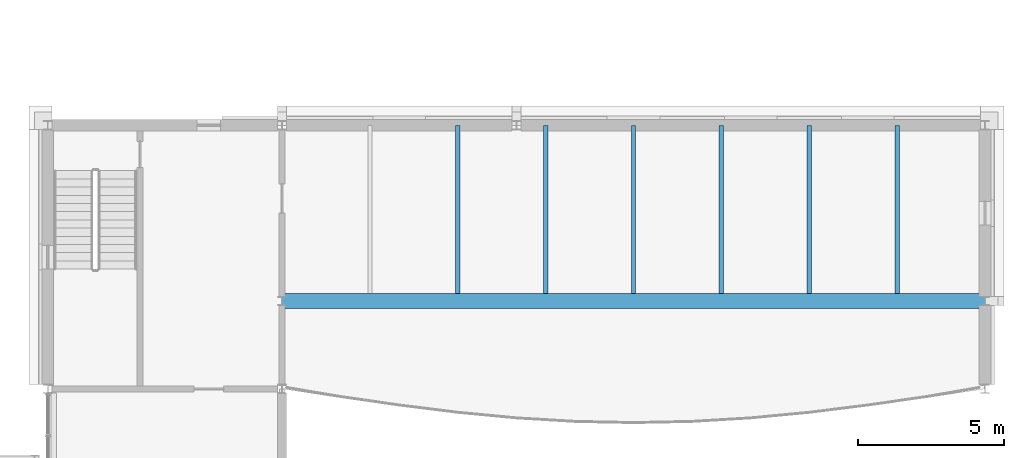
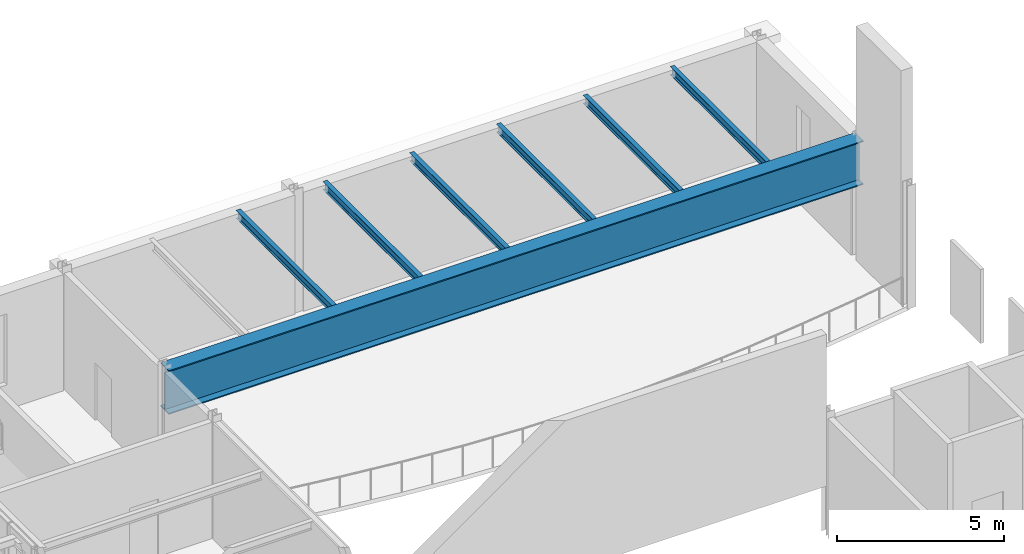
# One storey, part 74 of 153: 7 beams.
"""IFC4 building model written with IfcOpenShell, lengths in metres."""

import ifcopenshell
import ifcopenshell.guid

model = None  # the IFC model being written
_history = None  # IfcOwnerHistory: only IFC2X3 demands one
_inside = {}  # id of a spatial element -> (the spatial element, [elements in it])
_under = {}  # id of a project, library or spatial element -> (it, [spatial elements below it])
_declared = {}  # id of a project -> (the project, [libraries it declares])
_typed = {}  # id of a type object -> (the type object, [elements of that type])
_made_of = {}  # id of a material, layer set ... -> (it, [elements and type objects made of it])


def new_model(schema):
    """Start an empty IFC model of exactly this schema.

    Asked for "IFC4X3", IfcOpenShell would pick the latest addendum, in which some entities
    have other attributes; the version numbers below select the first issue.
    IFC2X3 requires an IfcOwnerHistory on every rooted entity: one is made here for all.
    """
    global model, _history
    if schema == "IFC4X3":
        model = ifcopenshell.file(schema_version=(4, 3, 0, 0))
    else:
        model = ifcopenshell.file(schema=schema)
    _inside.clear()
    _under.clear()
    _declared.clear()
    _typed.clear()
    _made_of.clear()
    _history = None
    if model.schema == "IFC2X3":
        org = make("IfcOrganization", Name="unknown")
        user = make(
            "IfcPersonAndOrganization",
            ThePerson=make("IfcPerson", FamilyName="unknown"),
            TheOrganization=org,
        )
        app = make(
            "IfcApplication",
            ApplicationDeveloper=org,
            Version="unknown",
            ApplicationFullName="unknown",
            ApplicationIdentifier="unknown",
        )
        _history = make(
            "IfcOwnerHistory",
            OwningUser=user,
            OwningApplication=app,
            ChangeAction="ADDED",
            CreationDate=0,
        )
    return model


def make(cls, **values):
    """One entity of the class cls with the attributes given. An attribute that is None is left unset."""
    return model.create_entity(
        cls, **{name: value for name, value in values.items() if value is not None}
    )


def rooted(cls, **values):
    """An entity with a GlobalId (a new one), such as an element, a storey or a relation."""
    return make(cls, GlobalId=ifcopenshell.guid.new(), OwnerHistory=_history, **values)


def si_unit(unit_type, name, prefix=None):
    """IfcSIUnit, for example si_unit("LENGTHUNIT", "METRE", prefix="MILLI")."""
    return make("IfcSIUnit", UnitType=unit_type, Prefix=prefix, Name=name)


def assignment(units):
    """IfcUnitAssignment: the units of a project."""
    return None if units is None else make("IfcUnitAssignment", Units=units)


def point(xyz):
    """IfcCartesianPoint."""
    return None if xyz is None else make("IfcCartesianPoint", Coordinates=xyz)


def direction(xyz):
    """IfcDirection."""
    return None if xyz is None else make("IfcDirection", DirectionRatios=xyz)


def frame(location, z_axis=None, x_axis=None):
    """IfcAxis2Placement3D, a coordinate frame: its origin and axes. An axis left out is left unset."""
    return make(
        "IfcAxis2Placement3D",
        Location=point(location),
        Axis=direction(z_axis),
        RefDirection=direction(x_axis),
    )


def frame_2d(location, x_axis=None):
    """IfcAxis2Placement2D, a coordinate frame in the plane: its origin and x axis."""
    return make(
        "IfcAxis2Placement2D", Location=point(location), RefDirection=direction(x_axis)
    )


def origin():
    """The frame at (0, 0, 0) with its axes left unset."""
    return frame((0.0, 0.0, 0.0))


def origin_2d():
    """The frame at (0, 0) in the plane with its x axis left unset."""
    return frame_2d((0.0, 0.0))


def place(relative_to, where):
    """IfcLocalPlacement: puts the frame where relative to a parent placement (None: the world)."""
    return make(
        "IfcLocalPlacement", PlacementRelTo=relative_to, RelativePlacement=where
    )


def context(
    kind, dimensions, precision=None, world=None, true_north=None, identifier=None
):
    """IfcGeometricRepresentationContext, for example the 3D "Model" context."""
    return make(
        "IfcGeometricRepresentationContext",
        ContextIdentifier=identifier,
        ContextType=kind,
        CoordinateSpaceDimension=dimensions,
        Precision=precision,
        WorldCoordinateSystem=world,
        TrueNorth=true_north,
    )


def subcontext(parent, identifier, kind, view, scale=None):
    """IfcGeometricRepresentationSubContext, for example "Body" below "Model"."""
    return make(
        "IfcGeometricRepresentationSubContext",
        ContextIdentifier=identifier,
        ContextType=kind,
        ParentContext=parent,
        TargetScale=scale,
        TargetView=view,
    )


def project(units=None, contexts=None):
    """IfcProject with its units and contexts."""
    return rooted(
        "IfcProject",
        Name="project",
        RepresentationContexts=contexts,
        UnitsInContext=assignment(units),
    )


def spatial(cls, under=None, at=None, **own):
    """A site, building, storey or space (cls), placed at a placement, below another one or the project."""
    s = rooted(cls, ObjectPlacement=at, **own)
    if under is not None:
        _under.setdefault(under.id(), (under, []))[1].append(s)
    return s


def profile(cls, at=None, kind="AREA", **sizes):
    """A parametric profile (cls). Its sizes go by their IFC names, for example OverallWidth=200.0."""
    return make(cls, ProfileType=kind, Position=at, **sizes)


def i_section(**sizes):
    """IfcIShapeProfileDef."""
    return profile("IfcIShapeProfileDef", **sizes)


def extrude(swept, where, along, depth):
    """IfcExtrudedAreaSolid: the profile swept, set in the frame where, extruded along a direction by depth."""
    return make(
        "IfcExtrudedAreaSolid",
        SweptArea=swept,
        Position=where,
        ExtrudedDirection=direction(along),
        Depth=depth,
    )


def shape(context_of_items, identifier, shape_type, items):
    """IfcShapeRepresentation: the items that make up one representation, for example the "Body"."""
    return make(
        "IfcShapeRepresentation",
        ContextOfItems=context_of_items,
        RepresentationIdentifier=identifier,
        RepresentationType=shape_type,
        Items=items,
    )


def material(Name=None, Category=None):
    """IfcMaterial."""
    return make("IfcMaterial", Name=Name, Category=Category)


def material_profile(
    of_material, cross_section, Name=None, Category=None, Priority=None
):
    """IfcMaterialProfile: a cross section and its material."""
    return make(
        "IfcMaterialProfile",
        Name=Name,
        Material=of_material,
        Profile=cross_section,
        Priority=Priority,
        Category=Category,
    )


def profile_set(profiles, Name=None, composite=None):
    """IfcMaterialProfileSet."""
    return make(
        "IfcMaterialProfileSet",
        Name=Name,
        MaterialProfiles=profiles,
        CompositeProfile=composite,
    )


def made_of(thing, what):
    """Note that an element or type object is made of a material, layer set ...; save() writes the relation."""
    if what is not None:
        _made_of.setdefault(what.id(), (what, []))[1].append(thing)
    return thing


def type_object(cls, material=None, **own):
    """A type object (cls), such as IfcWallType, which elements share."""
    return made_of(rooted(cls, **own), material)


def element(
    cls,
    number,
    at=None,
    inside=None,
    cuts=None,
    type_object=None,
    material=None,
    context=None,
    identifier="Body",
    shape_type=None,
    held_by="IfcProductDefinitionShape",
    body=None,
    shapes=None,
    **own,
):
    """One element of the class cls, such as IfcWall. Its Tag is "e" and its number.

    at: its placement. inside: the storey or other place that contains it. cuts: it is an
    opening in that element (IfcRelVoidsElement). A single representation is given by context,
    identifier, shape_type and body (its items); several are given by shapes. held_by: the class
    of the entity that holds the representations. save() writes the other relations.
    """
    e = rooted(cls, Tag="e%d" % number, ObjectPlacement=at, **own)
    if body is not None:
        shapes = [shape(context, identifier, shape_type, body)]
    if shapes is not None:
        e.Representation = make(held_by, Representations=shapes)
    if inside is not None:
        _inside.setdefault(inside.id(), (inside, []))[1].append(e)
    if cuts is not None:
        rooted(
            "IfcRelVoidsElement", RelatingBuildingElement=cuts, RelatedOpeningElement=e
        )
    if type_object is not None:
        _typed.setdefault(type_object.id(), (type_object, []))[1].append(e)
    return made_of(e, material)


def aggregate(whole, parts):
    """IfcRelAggregates: a whole, such as a stair, and the parts it consists of."""
    return rooted("IfcRelAggregates", RelatingObject=whole, RelatedObjects=parts)


def save(model, path):
    """Write the relations noted so far, then the file.

    IfcRelAggregates (storeys below a building ...), IfcRelContainedInSpatialStructure (elements
    in a storey), IfcRelDefinesByType, IfcRelAssociatesMaterial and IfcRelDeclares: one each for
    every whole, place, type object, material and project.
    """
    for whole, parts in _under.values():
        aggregate(whole, parts)
    for where, things in _inside.values():
        rooted(
            "IfcRelContainedInSpatialStructure",
            RelatedElements=things,
            RelatingStructure=where,
        )
    for kind, things in _typed.values():
        rooted("IfcRelDefinesByType", RelatedObjects=things, RelatingType=kind)
    for what, things in _made_of.values():
        rooted("IfcRelAssociatesMaterial", RelatedObjects=things, RelatingMaterial=what)
    for by, libraries in _declared.values():
        rooted("IfcRelDeclares", RelatingContext=by, RelatedDefinitions=libraries)
    model.write(path)


model = new_model("IFC4")

# Units and contexts
model_context = context("Model", 3, precision=1e-05, world=origin(), true_north=direction((0.0, 1.0)))
body_context = subcontext(model_context, "Body", "Model", "MODEL_VIEW")
ifc_project = project(units=[si_unit("LENGTHUNIT", "METRE"), si_unit("AREAUNIT", "SQUARE_METRE"), si_unit("VOLUMEUNIT", "CUBIC_METRE"), si_unit("PLANEANGLEUNIT", "RADIAN"), si_unit("MASSUNIT", "GRAM", prefix="KILO")], contexts=[model_context])

# Site, building, storey
site_placement = place(None, origin())
site = spatial("IfcSite", under=ifc_project, at=site_placement, CompositionType="ELEMENT")
building_placement = place(site_placement, origin())
building = spatial("IfcBuilding", under=site, at=building_placement, Name="Kallimachos Central Library", CompositionType="ELEMENT")
storey_placement = place(building_placement, frame((0.0, 0.0, 5.39990234375)))
storey = spatial("IfcBuildingStorey", under=building, at=storey_placement, Name="L01", CompositionType="ELEMENT", Elevation=5.39990234375)

# Beams
ifc_material_1 = material(Name="Steel S355J2", Category="steel")
ifc_material_profile_1 = material_profile(ifc_material_1, i_section(OverallWidth=0.14990234375, OverallDepth=0.300048828125, WebThickness=0.007080078125, FlangeThickness=0.0107421875, FilletRadius=0.014892578125, at=origin_2d()), Name="IPE 300")
ifc_profile_set_1 = profile_set([ifc_material_profile_1], Name="Steel S355J2")
beam_type_1 = type_object("IfcBeamType", Name="IPE 300 beam", PredefinedType="BEAM", material=ifc_profile_set_1)
for number, where, z_axis, x_axis, name in (
    (1, (152.0, 108.25, 4.2001953125), (0.0, 1.0, 0.0), (-1.0, 0.0, 0.0), "V3-BEM-L01-020"),
    (2, (155.0, 108.25, 4.2001953125), (0.0, 1.0, 0.0), (-1.0, 0.0, 0.0), "V3-BEM-L01-021"),
    (3, (158.0, 108.25, 4.2001953125), (0.0, 1.0, 0.0), (-1.0, 0.0, 0.0), "V3-BEM-L01-022"),
    (4, (161.0, 108.25, 4.2001953125), (0.0, 1.0, 0.0), (-1.0, 0.0, 0.0), "V3-BEM-L01-023"),
    (5, (164.0, 108.25, 4.2001953125), (0.0, 1.0, 0.0), (-1.0, 0.0, 0.0), "V3-BEM-L01-024"),
    (6, (167.0, 108.25, 4.2001953125), (0.0, 1.0, 0.0), (-1.0, 0.0, 0.0), "V3-BEM-L01-025"),
):
    element("IfcBeam", number, at=place(storey_placement, frame(where, z_axis=z_axis, x_axis=x_axis)), inside=storey, type_object=beam_type_1, Name=name, PredefinedType="BEAM", context=body_context, shape_type="SweptSolid", body=[
        extrude(i_section(OverallWidth=0.14990234375, OverallDepth=0.300048828125, WebThickness=0.007080078125, FlangeThickness=0.0107421875, FilletRadius=0.014892578125, at=origin_2d()), origin(), (0.0, 0.0, 1.0), 5.75),
    ])
ifc_material_2 = material(Name="Steel S355K2", Category="steel")
ifc_material_profile_2 = material_profile(ifc_material_2, i_section(OverallWidth=0.5, OverallDepth=1.60009765625, WebThickness=0.02490234375, FlangeThickness=0.0400390625, at=origin_2d()), Name="PG 1600x500-25/40")
ifc_profile_set_2 = profile_set([ifc_material_profile_2], Name="Steel S355K2")
beam_type_2 = type_object("IfcBeamType", Name="PG 1600x500-25/40 beam", PredefinedType="BEAM", material=ifc_profile_set_2)
beam_placement = place(storey_placement, frame((146.0, 108.0, 3.550048828125), z_axis=(1.0, 0.0, 0.0), x_axis=(0.0, 1.0, 0.0)))
element("IfcBeam", 7, at=beam_placement, inside=storey, type_object=beam_type_2, Name="V3-BEM-L01-018", PredefinedType="BEAM", context=body_context, shape_type="SweptSolid", body=[
    extrude(i_section(OverallWidth=0.5, OverallDepth=1.60009765625, WebThickness=0.02490234375, FlangeThickness=0.0400390625, at=origin_2d()), origin(), (0.0, 0.0, 1.0), 24.0),
])

save(model, "model.ifc")
